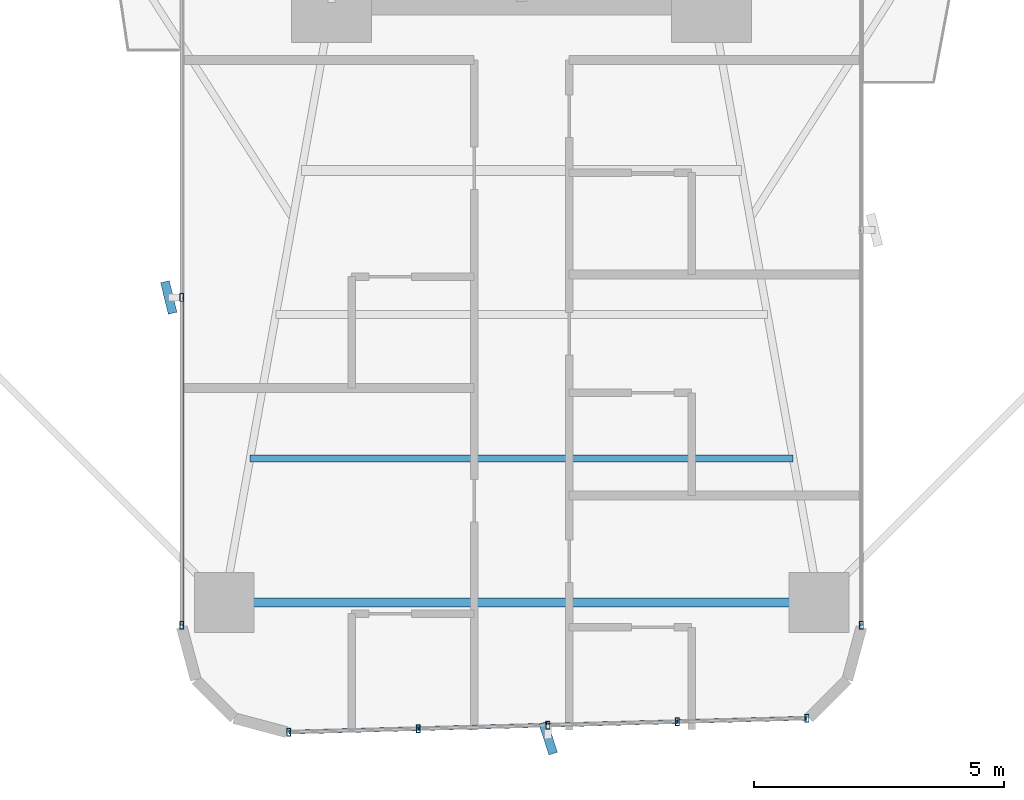
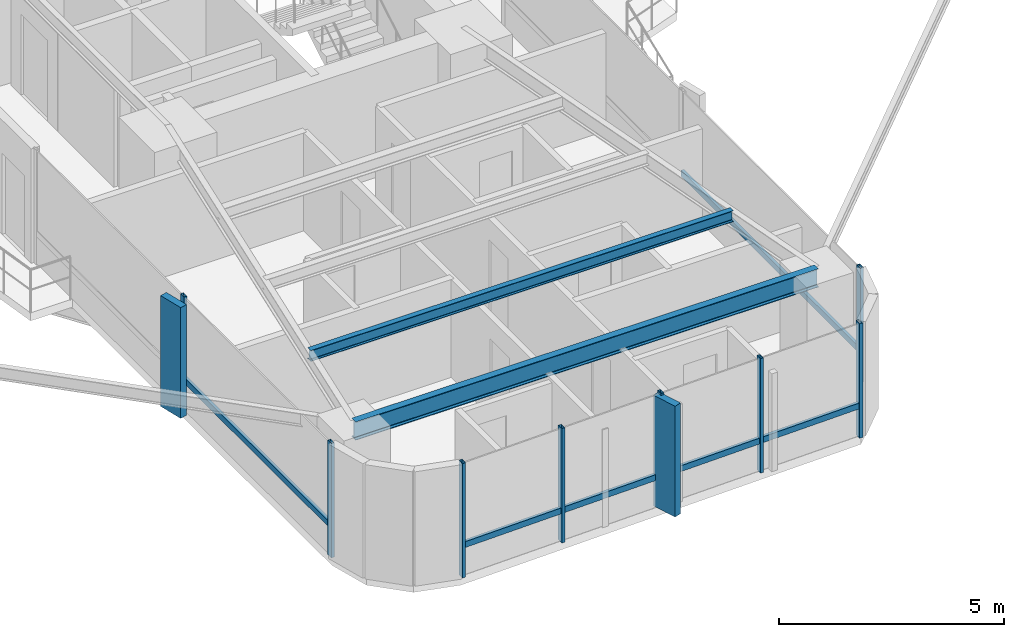
# One storey, part 2 of 25: 16 members, 2 beams, 3 elements without a shape of their own.
"""IFC4 building model written with IfcOpenShell, lengths in metres."""

from ifc_helpers import new_model, si_unit, direction, frame, origin, origin_2d, place, context, subcontext, project, spatial, rectangle, hollow_rectangle, i_section, extrude, source, transform, mapped, material, material_profile, profile_set, type_object, element, aggregate, save


model = new_model("IFC4")

# Units and contexts
model_context = context("Model", 3, precision=1e-05, world=origin(), true_north=direction((0.0, 1.0)))
body_context = subcontext(model_context, "Body", "Model", "MODEL_VIEW")
ifc_project = project(units=[si_unit("LENGTHUNIT", "METRE"), si_unit("AREAUNIT", "SQUARE_METRE"), si_unit("VOLUMEUNIT", "CUBIC_METRE"), si_unit("PLANEANGLEUNIT", "RADIAN"), si_unit("MASSUNIT", "GRAM", prefix="KILO")], contexts=[model_context])

# Site, building, storey
site_placement = place(None, origin())
site = spatial("IfcSite", under=ifc_project, at=site_placement, CompositionType="ELEMENT")
building_placement = place(site_placement, origin())
building = spatial("IfcBuilding", under=site, at=building_placement, Name="Sahyath Konkavel Grand Hotel", CompositionType="ELEMENT")
storey_placement = place(building_placement, frame((0.0, 0.0, 39.85009765625)))
storey = spatial("IfcBuildingStorey", under=building, at=storey_placement, Name="L10", CompositionType="ELEMENT", Elevation=39.85009765625)

# Beams
ifc_material_1 = material(Name="Steel E350", Category="steel")
ifc_material_profile_1 = material_profile(ifc_material_1, i_section(OverallWidth=0.179931640625, OverallDepth=0.5, WebThickness=0.01025390625, FlangeThickness=0.01708984375, FilletRadius=0.01708984375, at=origin_2d()), Name="ISMB 500")
ifc_profile_set_1 = profile_set([ifc_material_profile_1], Name="Steel E350")
beam_type_1 = type_object("IfcBeamType", Name="BM-ISMB500", PredefinedType="BEAM", material=ifc_profile_set_1)
shared_shape_1 = source(origin(), body_context, "Body", "SweptSolid", [
    extrude(i_section(OverallWidth=0.179931640625, OverallDepth=0.5, WebThickness=0.01025390625, FlangeThickness=0.01708984375, FilletRadius=0.01708984375, at=origin_2d()), origin(), (0.0, 0.0, 1.0), 11.89990234375),
])
beam_1_placement = place(storey_placement, frame((-5.949951171875, -22.199951171875, 2.85986328125), z_axis=(1.0, 0.0, 0.0), x_axis=(0.0, 1.0, 0.0)))
element("IfcBeam", 1, at=beam_1_placement, inside=storey, type_object=beam_type_1, Name="L10 Wing Tip Edge Beam S", PredefinedType="BEAM", context=body_context, shape_type="MappedRepresentation", body=[
    mapped(shared_shape_1, transform((0.0, 0.0, 0.0), scale=1.0)),
])
ifc_material_profile_2 = material_profile(ifc_material_1, i_section(OverallWidth=0.139892578125, OverallDepth=0.300048828125, WebThickness=0.0078125, FlangeThickness=0.01318359375, FilletRadius=0.013916015625, at=origin_2d()), Name="ISMB 300")
ifc_profile_set_2 = profile_set([ifc_material_profile_2], Name="Steel E350")
beam_type_2 = type_object("IfcBeamType", Name="BM-ISMB300", PredefinedType="BEAM", material=ifc_profile_set_2)
shared_shape_2 = source(origin(), body_context, "Body", "SweptSolid", [
    extrude(i_section(OverallWidth=0.139892578125, OverallDepth=0.300048828125, WebThickness=0.0078125, FlangeThickness=0.01318359375, FilletRadius=0.013916015625, at=origin_2d()), origin(), (0.0, 0.0, 1.0), 10.8681640625),
])
beam_2_placement = place(storey_placement, frame((-5.43408203125, -19.320068359375, 2.9599609375), z_axis=(1.0, 0.0, 0.0), x_axis=(0.0, 1.0, 0.0)))
element("IfcBeam", 2, at=beam_2_placement, inside=storey, type_object=beam_type_2, Name="L10 Secondary Floor Beam S-3", PredefinedType="BEAM", context=body_context, shape_type="MappedRepresentation", body=[
    mapped(shared_shape_2, transform((0.0, 0.0, 0.0), scale=1.0)),
])

# Curtain wall, members
ifc_material_2 = material(Name="Anodised Bronze Aluminium & Low-E Glazing", Category="aluminium")
curtain_wall_type = type_object("IfcCurtainWallType", Name="CW-ZONE1", PredefinedType="NOTDEFINED", material=ifc_material_2)
curtain_wall_1_placement = place(storey_placement, origin())
curtain_wall_1 = element("IfcCurtainWall", 3, at=curtain_wall_1_placement, inside=storey, type_object=curtain_wall_type, Name="L10 Unitised Curtain Wall F24", PredefinedType="NOTDEFINED")
ifc_material_3 = material(Name="Anodised Bronze Aluminium", Category="aluminium")
ifc_material_profile_3 = material_profile(ifc_material_3, hollow_rectangle(XDim=0.080078125, YDim=0.159912109375, WallThickness=0.006103515625, at=origin_2d()), Name="RHS 160x80x6")
ifc_profile_set_3 = profile_set([ifc_material_profile_3], Name="Anodised Bronze Aluminium")
member_type_1 = type_object("IfcMemberType", Name="CW-MUL-160", PredefinedType="MULLION", material=ifc_profile_set_3)
shared_shape_3 = source(origin(), body_context, "Body", "SweptSolid", [
    extrude(hollow_rectangle(XDim=0.080078125, YDim=0.159912109375, WallThickness=0.006103515625, at=origin_2d()), origin(), (0.0, 0.0, 1.0), 3.10986328125),
])
member_1_placement = place(storey_placement, frame((-6.800048828125, -16.10009765625, 0.0), z_axis=(0.0, 0.0, 1.0), x_axis=(1.0, 0.0, 0.0)))
member_1 = element("IfcMember", 4, at=member_1_placement, type_object=member_type_1, Name="L10 Curtain Wall Mullion F24-1", PredefinedType="MULLION", context=body_context, shape_type="MappedRepresentation", body=[
    mapped(shared_shape_3, transform((0.0, 0.0, 0.0), scale=1.0)),
])
member_2_placement = place(storey_placement, frame((-6.800048828125, -22.659912109375, 0.0), z_axis=(0.0, 0.0, 1.0), x_axis=(1.0, 0.0, 0.0)))
member_2 = element("IfcMember", 5, at=member_2_placement, type_object=member_type_1, Name="L10 Curtain Wall Mullion F24-2", PredefinedType="MULLION", context=body_context, shape_type="MappedRepresentation", body=[
    mapped(shared_shape_3, transform((0.0, 0.0, 0.0), scale=1.0)),
])

curtain_wall_2_placement = place(storey_placement, origin())
curtain_wall_2 = element("IfcCurtainWall", 6, at=curtain_wall_2_placement, inside=storey, type_object=curtain_wall_type, Name="L10 Unitised Curtain Wall F28", PredefinedType="NOTDEFINED")
member_3_placement = place(storey_placement, frame((-4.659912109375, -24.798828125, 0.0), z_axis=(0.0, 0.0, 1.0), x_axis=(1.0, 0.0, 0.0)))
member_3 = element("IfcMember", 7, at=member_3_placement, type_object=member_type_1, Name="L10 Curtain Wall Mullion F28-0", PredefinedType="MULLION", context=body_context, shape_type="MappedRepresentation", body=[
    mapped(shared_shape_3, transform((0.0, 0.0, 0.0), scale=1.0)),
])
member_4_placement = place(storey_placement, frame((-2.0673828125, -24.72900390625, 0.0), z_axis=(0.0, 0.0, 1.0), x_axis=(1.0, 0.0, 0.0)))
member_4 = element("IfcMember", 8, at=member_4_placement, type_object=member_type_1, Name="L10 Curtain Wall Mullion F28-1", PredefinedType="MULLION", context=body_context, shape_type="MappedRepresentation", body=[
    mapped(shared_shape_3, transform((0.0, 0.0, 0.0), scale=1.0)),
])
member_5_placement = place(storey_placement, frame((0.52490234375, -24.6591796875, 0.0), z_axis=(0.0, 0.0, 1.0), x_axis=(1.0, 0.0, 0.0)))
member_5 = element("IfcMember", 9, at=member_5_placement, type_object=member_type_1, Name="L10 Curtain Wall Mullion F28-2", PredefinedType="MULLION", context=body_context, shape_type="MappedRepresentation", body=[
    mapped(shared_shape_3, transform((0.0, 0.0, 0.0), scale=1.0)),
])
member_6_placement = place(storey_placement, frame((3.117431640625, -24.589599609375, 0.0), z_axis=(0.0, 0.0, 1.0), x_axis=(1.0, 0.0, 0.0)))
member_6 = element("IfcMember", 10, at=member_6_placement, type_object=member_type_1, Name="L10 Curtain Wall Mullion F28-3", PredefinedType="MULLION", context=body_context, shape_type="MappedRepresentation", body=[
    mapped(shared_shape_3, transform((0.0, 0.0, 0.0), scale=1.0)),
])
member_7_placement = place(storey_placement, frame((5.7099609375, -24.519775390625, 0.0), z_axis=(0.0, 0.0, 1.0), x_axis=(1.0, 0.0, 0.0)))
member_7 = element("IfcMember", 11, at=member_7_placement, type_object=member_type_1, Name="L10 Curtain Wall Mullion F28-4", PredefinedType="MULLION", context=body_context, shape_type="MappedRepresentation", body=[
    mapped(shared_shape_3, transform((0.0, 0.0, 0.0), scale=1.0)),
])

# Curtain wall, member
curtain_wall_3_placement = place(storey_placement, origin())
curtain_wall_3 = element("IfcCurtainWall", 12, at=curtain_wall_3_placement, inside=storey, type_object=curtain_wall_type, Name="L10 Unitised Curtain Wall F31", PredefinedType="NOTDEFINED")
member_8_placement = place(storey_placement, frame((6.800048828125, -22.659912109375, 0.0), z_axis=(0.0, 0.0, 1.0), x_axis=(1.0, 0.0, 0.0)))
member_8 = element("IfcMember", 13, at=member_8_placement, type_object=member_type_1, Name="L10 Curtain Wall Mullion F31-0", PredefinedType="MULLION", context=body_context, shape_type="MappedRepresentation", body=[
    mapped(shared_shape_3, transform((0.0, 0.0, 0.0), scale=1.0)),
])

# Member
ifc_material_4 = material(Name="Warm Buff Sandstone Cladding on Concrete C50/60", Category="masonry")
ifc_material_profile_4 = material_profile(ifc_material_4, rectangle(XDim=0.179931640625, YDim=0.64990234375, at=origin_2d()), Name="FIN 180x650")
ifc_profile_set_4 = profile_set([ifc_material_profile_4], Name="Warm Buff Sandstone Cladding on Concrete C50/60")
member_type_2 = type_object("IfcMemberType", Name="FIN-SANDSTONE-650", PredefinedType="MULLION", material=ifc_profile_set_4)
shared_shape_4 = source(origin(), body_context, "Body", "SweptSolid", [
    extrude(rectangle(XDim=0.179931640625, YDim=0.64990234375, at=origin_2d()), origin(), (0.0, 0.0, 1.0), 3.010009765625),
])
member_9_placement = place(storey_placement, frame((-7.06005859375, -16.10009765625, 0.0498046875), z_axis=(0.0, 0.0, 1.0), x_axis=(0.971590441254, 0.236668575149, 0.0)))
member_9 = element("IfcMember", 14, at=member_9_placement, type_object=member_type_2, Name="L10 Sandstone Vertical Solar Fin FIN F24-1", PredefinedType="MULLION", context=body_context, shape_type="MappedRepresentation", body=[
    mapped(shared_shape_4, transform((0.0, 0.0, 0.0), scale=1.0)),
])

member_10_placement = place(storey_placement, frame((0.531982421875, -24.919189453125, 0.0498046875), z_axis=(0.0, 0.0, 1.0), x_axis=(0.951379596601, 0.308020881065, 0.0)))
member_10 = element("IfcMember", 15, at=member_10_placement, type_object=member_type_2, Name="L10 Sandstone Vertical Solar Fin FIN F28-2", PredefinedType="MULLION", context=body_context, shape_type="MappedRepresentation", body=[
    mapped(shared_shape_4, transform((0.0, 0.0, 0.0), scale=1.0)),
])

ifc_material_profile_5 = material_profile(ifc_material_3, hollow_rectangle(XDim=0.080078125, YDim=0.159912109375, WallThickness=0.006103515625, at=origin_2d()), Name="RHS 160x80x6")
ifc_profile_set_5 = profile_set([ifc_material_profile_5], Name="Anodised Bronze Aluminium")
member_type_3 = type_object("IfcMemberType", Name="CW-TRN-160", PredefinedType="USERDEFINED", material=ifc_profile_set_5)
shared_shape_5 = source(origin(), body_context, "Body", "SweptSolid", [
    extrude(hollow_rectangle(XDim=0.080078125, YDim=0.159912109375, WallThickness=0.006103515625, at=origin_2d()), origin(), (0.0, 0.0, 1.0), 7.909912109375),
])
member_11_placement = place(storey_placement, frame((6.800048828125, -22.659912109375, 0.849853515625), z_axis=(0.0, 1.0, 0.0), x_axis=(-1.0, 0.0, 0.0)))
member_11 = element("IfcMember", 16, at=member_11_placement, type_object=member_type_3, Name="L10 Curtain Wall Transom F31-0-spandrel", ObjectType="TRANSOM", PredefinedType="USERDEFINED", context=body_context, shape_type="MappedRepresentation", body=[
    mapped(shared_shape_5, transform((0.0, 0.0, 0.0), scale=1.0)),
])

aggregate(curtain_wall_3, [member_8, member_11])

shared_shape_6 = source(origin(), body_context, "Body", "SweptSolid", [
    extrude(hollow_rectangle(XDim=0.080078125, YDim=0.159912109375, WallThickness=0.006103515625, at=origin_2d()), origin(), (0.0, 0.0, 1.0), 2.593505859375),
])
member_12_placement = place(storey_placement, frame((-4.659912109375, -24.798828125, 0.849853515625), z_axis=(0.999637507825, 0.026923093252, 0.0), x_axis=(-0.026923093252, 0.999637507825, 0.0)))
member_12 = element("IfcMember", 17, at=member_12_placement, type_object=member_type_3, Name="L10 Curtain Wall Transom F28-0-spandrel", ObjectType="TRANSOM", PredefinedType="USERDEFINED", context=body_context, shape_type="MappedRepresentation", body=[
    mapped(shared_shape_6, transform((0.0, 0.0, 0.0), scale=1.0)),
])

member_13_placement = place(storey_placement, frame((0.52490234375, -24.6591796875, 0.849853515625), z_axis=(0.999640036937, 0.02682902444, 0.0), x_axis=(-0.02682902444, 0.999640036937, 0.0)))
member_13 = element("IfcMember", 18, at=member_13_placement, type_object=member_type_3, Name="L10 Curtain Wall Transom F28-2-spandrel", ObjectType="TRANSOM", PredefinedType="USERDEFINED", context=body_context, shape_type="MappedRepresentation", body=[
    mapped(shared_shape_6, transform((0.0, 0.0, 0.0), scale=1.0)),
])

member_14_placement = place(storey_placement, frame((3.117431640625, -24.589599609375, 0.849853515625), z_axis=(0.999637507825, 0.026923093252, 0.0), x_axis=(-0.026923093252, 0.999637507825, 0.0)))
member_14 = element("IfcMember", 19, at=member_14_placement, type_object=member_type_3, Name="L10 Curtain Wall Transom F28-3-spandrel", ObjectType="TRANSOM", PredefinedType="USERDEFINED", context=body_context, shape_type="MappedRepresentation", body=[
    mapped(shared_shape_6, transform((0.0, 0.0, 0.0), scale=1.0)),
])

shared_shape_7 = source(origin(), body_context, "Body", "SweptSolid", [
    extrude(hollow_rectangle(XDim=0.080078125, YDim=0.159912109375, WallThickness=0.006103515625, at=origin_2d()), origin(), (0.0, 0.0, 1.0), 2.59326171875),
])
member_15_placement = place(storey_placement, frame((-2.0673828125, -24.72900390625, 0.849853515625), z_axis=(0.99963743958, 0.026925627022, 0.0), x_axis=(-0.026925627022, 0.99963743958, 0.0)))
member_15 = element("IfcMember", 20, at=member_15_placement, type_object=member_type_3, Name="L10 Curtain Wall Transom F28-1-spandrel", ObjectType="TRANSOM", PredefinedType="USERDEFINED", context=body_context, shape_type="MappedRepresentation", body=[
    mapped(shared_shape_7, transform((0.0, 0.0, 0.0), scale=1.0)),
])

aggregate(curtain_wall_2, [member_3, member_4, member_5, member_10, member_6, member_7, member_12, member_15, member_13, member_14])

shared_shape_8 = source(origin(), body_context, "Body", "SweptSolid", [
    extrude(hollow_rectangle(XDim=0.080078125, YDim=0.159912109375, WallThickness=0.006103515625, at=origin_2d()), origin(), (0.0, 0.0, 1.0), 6.559814453125),
])
member_16_placement = place(storey_placement, frame((-6.800048828125, -16.10009765625, 0.849853515625), z_axis=(0.0, -1.0, 0.0), x_axis=(1.0, 0.0, 0.0)))
member_16 = element("IfcMember", 21, at=member_16_placement, type_object=member_type_3, Name="L10 Curtain Wall Transom F24-1-spandrel", ObjectType="TRANSOM", PredefinedType="USERDEFINED", context=body_context, shape_type="MappedRepresentation", body=[
    mapped(shared_shape_8, transform((0.0, 0.0, 0.0), scale=1.0)),
])

aggregate(curtain_wall_1, [member_1, member_9, member_2, member_16])

save(model, "model.ifc")
